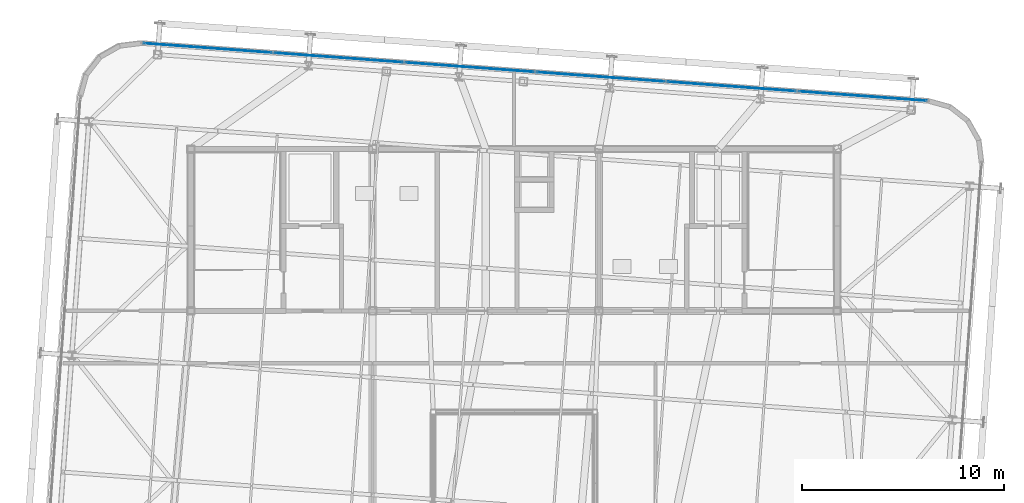
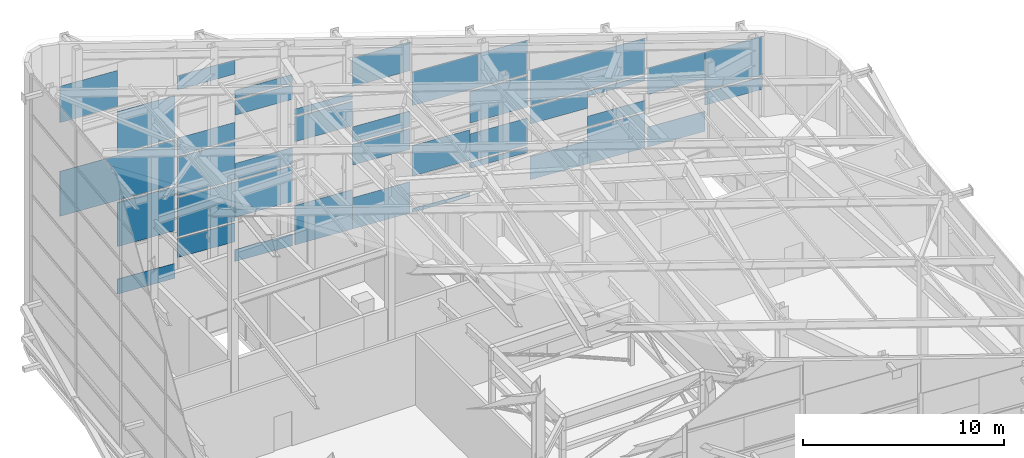
# One storey, part 33 of 56: 38 plates, 23 elements without a shape of their own.
"""IFC4 building model written with IfcOpenShell, lengths in metres."""

from ifc_helpers import new_model, si_unit, direction, frame, origin, origin_2d, place, context, subcontext, project, spatial, rectangle, extrude, source, transform, mapped, material, layer, layer_set, type_object, element, aggregate, save


model = new_model("IFC4")

# Units and contexts
model_context = context("Model", 3, precision=1e-05, world=origin(), true_north=direction((0.0, 1.0)))
body_context = subcontext(model_context, "Body", "Model", "MODEL_VIEW")
ifc_project = project(units=[si_unit("LENGTHUNIT", "METRE"), si_unit("AREAUNIT", "SQUARE_METRE"), si_unit("VOLUMEUNIT", "CUBIC_METRE"), si_unit("PLANEANGLEUNIT", "RADIAN"), si_unit("MASSUNIT", "GRAM", prefix="KILO")], contexts=[model_context])

# Site, building, storey
site_placement = place(None, origin())
site = spatial("IfcSite", under=ifc_project, at=site_placement, CompositionType="ELEMENT")
building_placement = place(site_placement, origin())
building = spatial("IfcBuilding", under=site, at=building_placement, Name="Taldren Reach Tower", CompositionType="ELEMENT")
storey_placement = place(building_placement, frame((0.0, 0.0, 253.050048828125)))
storey = spatial("IfcBuildingStorey", under=building, at=storey_placement, Name="L77", CompositionType="ELEMENT", Elevation=253.050048828125)

# Curtain wall, plate
ifc_material_1 = material(Name="Aluminium and Low-E Glass Unitised System", Category="aluminium")
ifc_layer_1 = layer(ifc_material_1, 0.159912109375)
ifc_layer_set_1 = layer_set([ifc_layer_1], Name="Aluminium and Low-E Glass Unitised System")
curtain_wall_type = type_object("IfcCurtainWallType", Name="CW-SYS-8", PredefinedType="NOTDEFINED", material=ifc_layer_set_1)
curtain_wall_1_placement = place(storey_placement, origin())
curtain_wall_1 = element("IfcCurtainWall", 1, at=curtain_wall_1_placement, inside=storey, type_object=curtain_wall_type, Name="Unitised curtain wall CW8-L77-N1-T3", PredefinedType="NOTDEFINED")
ifc_material_2 = material(Name="Acoustic Triple-Laminated IGU", Category="glass")
ifc_layer_2 = layer(ifc_material_2, 0.035888671875)
ifc_layer_set_2 = layer_set([ifc_layer_2], Name="Acoustic Triple-Laminated IGU")
plate_type = type_object("IfcPlateType", Name="CW-PNL-IGU36", PredefinedType="CURTAIN_PANEL", material=ifc_layer_set_2)
shared_shape_1 = source(origin(), body_context, "Body", "SweptSolid", [
    extrude(rectangle(XDim=6.35009765625, YDim=0.035888671875, at=origin_2d()), origin(), (0.0, 0.0, 1.0), 2.728271484375),
])
plate_1_placement = place(storey_placement, frame((19.840576171875, 37.008056640625, 5.7568359375), z_axis=(0.0, 0.0, 1.0), x_axis=(0.997314454527, -0.073238506213, 0.0)))
plate_1 = element("IfcPlate", 2, at=plate_1_placement, type_object=plate_type, Name="CW-8 panel 1.1", PredefinedType="CURTAIN_PANEL", context=body_context, shape_type="MappedRepresentation", body=[
    mapped(shared_shape_1, transform((0.0, 0.0, 0.0), scale=1.0)),
])
aggregate(curtain_wall_1, [plate_1])

curtain_wall_2_placement = place(storey_placement, origin())
curtain_wall_2 = element("IfcCurtainWall", 3, at=curtain_wall_2_placement, inside=storey, type_object=curtain_wall_type, Name="Unitised curtain wall CW8-L77-N4-T4", PredefinedType="NOTDEFINED")
shared_shape_2 = source(origin(), body_context, "Body", "SweptSolid", [
    extrude(rectangle(XDim=6.35009765625, YDim=0.035888671875, at=origin_2d()), origin(), (0.0, 0.0, 1.0), 2.04296875),
])
plate_2_placement = place(storey_placement, frame((39.2880859375, 35.579833984375, 6.548583984375), z_axis=(0.0, 0.0, 1.0), x_axis=(0.997314454527, -0.073238506213, 0.0)))
plate_2 = element("IfcPlate", 4, at=plate_2_placement, type_object=plate_type, Name="CW-8 panel 1.1", PredefinedType="CURTAIN_PANEL", context=body_context, shape_type="MappedRepresentation", body=[
    mapped(shared_shape_2, transform((0.0, 0.0, 0.0), scale=1.0)),
])
aggregate(curtain_wall_2, [plate_2])

curtain_wall_3_placement = place(storey_placement, origin())
curtain_wall_3 = element("IfcCurtainWall", 5, at=curtain_wall_3_placement, inside=storey, type_object=curtain_wall_type, Name="Unitised curtain wall CW8-L77-N5-T3", PredefinedType="NOTDEFINED")
shared_shape_3 = source(origin(), body_context, "Body", "SweptSolid", [
    extrude(rectangle(XDim=6.35009765625, YDim=0.035888671875, at=origin_2d()), origin(), (0.0, 0.0, 1.0), 2.142822265625),
])
plate_3_placement = place(storey_placement, frame((45.770751953125, 35.103759765625, 4.58544921875), z_axis=(0.0, 0.0, 1.0), x_axis=(0.997314462779, -0.073238393838, 0.0)))
plate_3 = element("IfcPlate", 6, at=plate_3_placement, type_object=plate_type, Name="CW-8 panel 1.1", PredefinedType="CURTAIN_PANEL", context=body_context, shape_type="MappedRepresentation", body=[
    mapped(shared_shape_3, transform((0.0, 0.0, 0.0), scale=1.0)),
])
aggregate(curtain_wall_3, [plate_3])

curtain_wall_4_placement = place(storey_placement, origin())
curtain_wall_4 = element("IfcCurtainWall", 7, at=curtain_wall_4_placement, inside=storey, type_object=curtain_wall_type, Name="Unitised curtain wall CW8-L77-N1", PredefinedType="NOTDEFINED")
shared_shape_4 = source(origin(), body_context, "Body", "SweptSolid", [
    extrude(rectangle(XDim=3.175048828125, YDim=0.035888671875, at=origin_2d()), origin(), (0.0, 0.0, 1.0), 0.910400390625),
])
plate_4_placement = place(storey_placement, frame((21.423828125, 36.891845703125, 0.06005859375), z_axis=(0.0, 0.0, 1.0), x_axis=(0.997314454527, -0.073238506213, 0.0)))
plate_4 = element("IfcPlate", 8, at=plate_4_placement, type_object=plate_type, Name="CW-8 panel 1.1 part 2", PredefinedType="CURTAIN_PANEL", context=body_context, shape_type="MappedRepresentation", body=[
    mapped(shared_shape_4, transform((0.0, 0.0, 0.0), scale=1.0)),
])
aggregate(curtain_wall_4, [plate_4])

curtain_wall_5_placement = place(storey_placement, origin())
curtain_wall_5 = element("IfcCurtainWall", 9, at=curtain_wall_5_placement, inside=storey, type_object=curtain_wall_type, Name="Unitised curtain wall CW8-L77-N1-T2", PredefinedType="NOTDEFINED")
shared_shape_5 = source(origin(), body_context, "Body", "SweptSolid", [
    extrude(rectangle(XDim=3.175048828125, YDim=0.035888671875, at=origin_2d()), origin(), (0.0, 0.0, 1.0), 2.687744140625),
])
plate_5_placement = place(storey_placement, frame((21.423828125, 36.891845703125, 2.94873046875), z_axis=(0.0, 0.0, 1.0), x_axis=(0.997314454527, -0.073238506213, 0.0)))
plate_5 = element("IfcPlate", 10, at=plate_5_placement, type_object=plate_type, Name="CW-8 panel 1.1 part 2", PredefinedType="CURTAIN_PANEL", context=body_context, shape_type="MappedRepresentation", body=[
    mapped(shared_shape_5, transform((0.0, 0.0, 0.0), scale=1.0)),
])
aggregate(curtain_wall_5, [plate_5])

curtain_wall_6_placement = place(storey_placement, origin())
curtain_wall_6 = element("IfcCurtainWall", 11, at=curtain_wall_6_placement, inside=storey, type_object=curtain_wall_type, Name="Unitised curtain wall CW8-L77-N1-T4", PredefinedType="NOTDEFINED")
shared_shape_6 = source(origin(), body_context, "Body", "SweptSolid", [
    extrude(rectangle(XDim=3.175048828125, YDim=0.035888671875, at=origin_2d()), origin(), (0.0, 0.0, 1.0), 2.552734375),
])
plate_6_placement = place(storey_placement, frame((21.423828125, 36.891845703125, 8.60498046875), z_axis=(0.0, 0.0, 1.0), x_axis=(0.997314454527, -0.073238506213, 0.0)))
plate_6 = element("IfcPlate", 12, at=plate_6_placement, type_object=plate_type, Name="CW-8 panel 1.1 part 2", PredefinedType="CURTAIN_PANEL", context=body_context, shape_type="MappedRepresentation", body=[
    mapped(shared_shape_6, transform((0.0, 0.0, 0.0), scale=1.0)),
])
aggregate(curtain_wall_6, [plate_6])

curtain_wall_7_placement = place(storey_placement, origin())
curtain_wall_7 = element("IfcCurtainWall", 13, at=curtain_wall_7_placement, inside=storey, type_object=curtain_wall_type, Name="Unitised curtain wall CW8-L77-N1-T5", PredefinedType="NOTDEFINED")
shared_shape_7 = source(origin(), body_context, "Body", "SweptSolid", [
    extrude(rectangle(XDim=3.175048828125, YDim=0.035888671875, at=origin_2d()), origin(), (0.0, 0.0, 1.0), 2.211181640625),
])
plate_7_placement = place(storey_placement, frame((18.25732421875, 37.124267578125, 11.453125), z_axis=(0.0, 0.0, 1.0), x_axis=(0.997314454527, -0.073238506213, 0.0)))
plate_7 = element("IfcPlate", 14, at=plate_7_placement, type_object=plate_type, Name="CW-8 panel 1.1 part 1", PredefinedType="CURTAIN_PANEL", context=body_context, shape_type="MappedRepresentation", body=[
    mapped(shared_shape_7, transform((0.0, 0.0, 0.0), scale=1.0)),
])
aggregate(curtain_wall_7, [plate_7])

# Curtain wall, plates
curtain_wall_8_placement = place(storey_placement, origin())
curtain_wall_8 = element("IfcCurtainWall", 15, at=curtain_wall_8_placement, inside=storey, type_object=curtain_wall_type, Name="Unitised curtain wall CW8-L77-N2", PredefinedType="NOTDEFINED")
shared_shape_8 = source(origin(), body_context, "Body", "SweptSolid", [
    extrude(rectangle(XDim=3.175048828125, YDim=0.035888671875, at=origin_2d()), origin(), (0.0, 0.0, 1.0), 1.14697265625),
])
plate_8_placement = place(storey_placement, frame((24.73974609375, 36.648193359375, 1.2685546875), z_axis=(0.0, 0.0, 1.0), x_axis=(0.997314462779, -0.073238393838, 0.0)))
plate_8 = element("IfcPlate", 16, at=plate_8_placement, type_object=plate_type, Name="CW-8 panel 1.1 part 1", PredefinedType="CURTAIN_PANEL", context=body_context, shape_type="MappedRepresentation", body=[
    mapped(shared_shape_8, transform((0.0, 0.0, 0.0), scale=1.0)),
])
shared_shape_9 = source(origin(), body_context, "Body", "SweptSolid", [
    extrude(rectangle(XDim=3.175048828125, YDim=0.035888671875, at=origin_2d()), origin(), (0.0, 0.0, 1.0), 0.7158203125),
])
plate_9_placement = place(storey_placement, frame((27.90625, 36.415771484375, 0.06005859375), z_axis=(0.0, 0.0, 1.0), x_axis=(0.997314462779, -0.073238393838, 0.0)))
plate_9 = element("IfcPlate", 17, at=plate_9_placement, type_object=plate_type, Name="CW-8 panel 1.1 part 2", PredefinedType="CURTAIN_PANEL", context=body_context, shape_type="MappedRepresentation", body=[
    mapped(shared_shape_9, transform((0.0, 0.0, 0.0), scale=1.0)),
])
aggregate(curtain_wall_8, [plate_8, plate_9])

# Curtain wall, plate
curtain_wall_9_placement = place(storey_placement, origin())
curtain_wall_9 = element("IfcCurtainWall", 18, at=curtain_wall_9_placement, inside=storey, type_object=curtain_wall_type, Name="Unitised curtain wall CW8-L77-N2-T2", PredefinedType="NOTDEFINED")
shared_shape_10 = source(origin(), body_context, "Body", "SweptSolid", [
    extrude(rectangle(XDim=3.175048828125, YDim=0.035888671875, at=origin_2d()), origin(), (0.0, 0.0, 1.0), 2.355712890625),
])
plate_10_placement = place(storey_placement, frame((24.73974609375, 36.648193359375, 2.53564453125), z_axis=(0.0, 0.0, 1.0), x_axis=(0.997314462779, -0.073238393838, 0.0)))
plate_10 = element("IfcPlate", 19, at=plate_10_placement, type_object=plate_type, Name="CW-8 panel 1.1 part 1", PredefinedType="CURTAIN_PANEL", context=body_context, shape_type="MappedRepresentation", body=[
    mapped(shared_shape_10, transform((0.0, 0.0, 0.0), scale=1.0)),
])

curtain_wall_10_placement = place(storey_placement, origin())
curtain_wall_10 = element("IfcCurtainWall", 20, at=curtain_wall_10_placement, inside=storey, type_object=curtain_wall_type, Name="Unitised curtain wall CW8-L77-N2-T3", PredefinedType="NOTDEFINED")
plate_11_placement = place(storey_placement, frame((24.73974609375, 36.648193359375, 5.01123046875), z_axis=(0.0, 0.0, 1.0), x_axis=(0.997314462779, -0.073238393838, 0.0)))
plate_11 = element("IfcPlate", 21, at=plate_11_placement, type_object=plate_type, Name="CW-8 panel 1.1 part 1", PredefinedType="CURTAIN_PANEL", context=body_context, shape_type="MappedRepresentation", body=[
    mapped(shared_shape_10, transform((0.0, 0.0, 0.0), scale=1.0)),
])

# Plate
shared_shape_11 = source(origin(), body_context, "Body", "SweptSolid", [
    extrude(rectangle(XDim=3.175048828125, YDim=0.035888671875, at=origin_2d()), origin(), (0.0, 0.0, 1.0), 2.136962890625),
])
plate_12_placement = place(storey_placement, frame((27.90625, 36.415771484375, 2.75439453125), z_axis=(0.0, 0.0, 1.0), x_axis=(0.997314462779, -0.073238393838, 0.0)))
plate_12 = element("IfcPlate", 22, at=plate_12_placement, type_object=plate_type, Name="CW-8 panel 1.1 part 2", PredefinedType="CURTAIN_PANEL", context=body_context, shape_type="MappedRepresentation", body=[
    mapped(shared_shape_11, transform((0.0, 0.0, 0.0), scale=1.0)),
])

aggregate(curtain_wall_9, [plate_10, plate_12])

shared_shape_12 = source(origin(), body_context, "Body", "SweptSolid", [
    extrude(rectangle(XDim=3.175048828125, YDim=0.035888671875, at=origin_2d()), origin(), (0.0, 0.0, 1.0), 1.014892578125),
])
plate_13_placement = place(storey_placement, frame((27.90625, 36.415771484375, 5.01123046875), z_axis=(0.0, 0.0, 1.0), x_axis=(0.997314462779, -0.073238393838, 0.0)))
plate_13 = element("IfcPlate", 23, at=plate_13_placement, type_object=plate_type, Name="CW-8 panel 1.1 part 2", PredefinedType="CURTAIN_PANEL", context=body_context, shape_type="MappedRepresentation", body=[
    mapped(shared_shape_12, transform((0.0, 0.0, 0.0), scale=1.0)),
])

aggregate(curtain_wall_10, [plate_11, plate_13])

# Curtain wall, plates
curtain_wall_11_placement = place(storey_placement, origin())
curtain_wall_11 = element("IfcCurtainWall", 24, at=curtain_wall_11_placement, inside=storey, type_object=curtain_wall_type, Name="Unitised curtain wall CW8-L77-N2-T4", PredefinedType="NOTDEFINED")
shared_shape_13 = source(origin(), body_context, "Body", "SweptSolid", [
    extrude(rectangle(XDim=3.175048828125, YDim=0.035888671875, at=origin_2d()), origin(), (0.0, 0.0, 1.0), 1.045654296875),
])
plate_14_placement = place(storey_placement, frame((24.73974609375, 36.648193359375, 7.48681640625), z_axis=(0.0, 0.0, 1.0), x_axis=(0.997314462779, -0.073238393838, 0.0)))
plate_14 = element("IfcPlate", 25, at=plate_14_placement, type_object=plate_type, Name="CW-8 panel 1.1 part 1", PredefinedType="CURTAIN_PANEL", context=body_context, shape_type="MappedRepresentation", body=[
    mapped(shared_shape_13, transform((0.0, 0.0, 0.0), scale=1.0)),
])
shared_shape_14 = source(origin(), body_context, "Body", "SweptSolid", [
    extrude(rectangle(XDim=3.175048828125, YDim=0.035888671875, at=origin_2d()), origin(), (0.0, 0.0, 1.0), 0.8857421875),
])
plate_15_placement = place(storey_placement, frame((27.90625, 36.415771484375, 8.956787109375), z_axis=(0.0, 0.0, 1.0), x_axis=(0.997314462779, -0.073238393838, 0.0)))
plate_15 = element("IfcPlate", 26, at=plate_15_placement, type_object=plate_type, Name="CW-8 panel 1.1 part 2", PredefinedType="CURTAIN_PANEL", context=body_context, shape_type="MappedRepresentation", body=[
    mapped(shared_shape_14, transform((0.0, 0.0, 0.0), scale=1.0)),
])
aggregate(curtain_wall_11, [plate_14, plate_15])

curtain_wall_12_placement = place(storey_placement, origin())
curtain_wall_12 = element("IfcCurtainWall", 27, at=curtain_wall_12_placement, inside=storey, type_object=curtain_wall_type, Name="Unitised curtain wall CW8-L77-N2-T5", PredefinedType="NOTDEFINED")
shared_shape_15 = source(origin(), body_context, "Body", "SweptSolid", [
    extrude(rectangle(XDim=3.175048828125, YDim=0.035888671875, at=origin_2d()), origin(), (0.0, 0.0, 1.0), 0.854736328125),
])
plate_16_placement = place(storey_placement, frame((24.73974609375, 36.648193359375, 11.46337890625), z_axis=(0.0, 0.0, 1.0), x_axis=(0.997314462779, -0.073238393838, 0.0)))
plate_16 = element("IfcPlate", 28, at=plate_16_placement, type_object=plate_type, Name="CW-8 panel 1.1 part 1", PredefinedType="CURTAIN_PANEL", context=body_context, shape_type="MappedRepresentation", body=[
    mapped(shared_shape_15, transform((0.0, 0.0, 0.0), scale=1.0)),
])
shared_shape_16 = source(origin(), body_context, "Body", "SweptSolid", [
    extrude(rectangle(XDim=3.175048828125, YDim=0.035888671875, at=origin_2d()), origin(), (0.0, 0.0, 1.0), 0.50390625),
])
plate_17_placement = place(storey_placement, frame((27.90625, 36.415771484375, 9.962646484375), z_axis=(0.0, 0.0, 1.0), x_axis=(0.997314462779, -0.073238393838, 0.0)))
plate_17 = element("IfcPlate", 29, at=plate_17_placement, type_object=plate_type, Name="CW-8 panel 1.1 part 2", PredefinedType="CURTAIN_PANEL", context=body_context, shape_type="MappedRepresentation", body=[
    mapped(shared_shape_16, transform((0.0, 0.0, 0.0), scale=1.0)),
])
aggregate(curtain_wall_12, [plate_16, plate_17])

curtain_wall_13_placement = place(storey_placement, origin())
curtain_wall_13 = element("IfcCurtainWall", 30, at=curtain_wall_13_placement, inside=storey, type_object=curtain_wall_type, Name="Unitised curtain wall CW8-L77-N3", PredefinedType="NOTDEFINED")
shared_shape_17 = source(origin(), body_context, "Body", "SweptSolid", [
    extrude(rectangle(XDim=3.175048828125, YDim=0.035888671875, at=origin_2d()), origin(), (0.0, 0.0, 1.0), 2.39599609375),
])
plate_18_placement = place(storey_placement, frame((31.222412109375, 36.172119140625, 0.06005859375), z_axis=(0.0, 0.0, 1.0), x_axis=(0.997314566898, -0.073236975997, 0.0)))
plate_18 = element("IfcPlate", 31, at=plate_18_placement, type_object=plate_type, Name="CW-8 panel 1.1 part 1", PredefinedType="CURTAIN_PANEL", context=body_context, shape_type="MappedRepresentation", body=[
    mapped(shared_shape_17, transform((0.0, 0.0, 0.0), scale=1.0)),
])
shared_shape_18 = source(origin(), body_context, "Body", "SweptSolid", [
    extrude(rectangle(XDim=3.175048828125, YDim=0.035888671875, at=origin_2d()), origin(), (0.0, 0.0, 1.0), 1.90087890625),
])
plate_19_placement = place(storey_placement, frame((34.388916015625, 35.939697265625, 0.059814453125), z_axis=(0.0, 0.0, 1.0), x_axis=(0.997314566898, -0.073236975997, 0.0)))
plate_19 = element("IfcPlate", 32, at=plate_19_placement, type_object=plate_type, Name="CW-8 panel 1.1 part 2", PredefinedType="CURTAIN_PANEL", context=body_context, shape_type="MappedRepresentation", body=[
    mapped(shared_shape_18, transform((0.0, 0.0, 0.0), scale=1.0)),
])
aggregate(curtain_wall_13, [plate_18, plate_19])

# Curtain wall, plate
curtain_wall_14_placement = place(storey_placement, origin())
curtain_wall_14 = element("IfcCurtainWall", 33, at=curtain_wall_14_placement, inside=storey, type_object=curtain_wall_type, Name="Unitised curtain wall CW8-L77-N3-T2", PredefinedType="NOTDEFINED")
shared_shape_19 = source(origin(), body_context, "Body", "SweptSolid", [
    extrude(rectangle(XDim=3.175048828125, YDim=0.035888671875, at=origin_2d()), origin(), (0.0, 0.0, 1.0), 1.258056640625),
])
plate_20_placement = place(storey_placement, frame((34.388916015625, 35.939697265625, 3.939453125), z_axis=(0.0, 0.0, 1.0), x_axis=(0.997314566898, -0.073236975997, 0.0)))
plate_20 = element("IfcPlate", 34, at=plate_20_placement, type_object=plate_type, Name="CW-8 panel 1.1 part 1", PredefinedType="CURTAIN_PANEL", context=body_context, shape_type="MappedRepresentation", body=[
    mapped(shared_shape_19, transform((0.0, 0.0, 0.0), scale=1.0)),
])
aggregate(curtain_wall_14, [plate_20])

# Curtain wall, plates
curtain_wall_15_placement = place(storey_placement, origin())
curtain_wall_15 = element("IfcCurtainWall", 35, at=curtain_wall_15_placement, inside=storey, type_object=curtain_wall_type, Name="Unitised curtain wall CW8-L77-N3-T3", PredefinedType="NOTDEFINED")
shared_shape_20 = source(origin(), body_context, "Body", "SweptSolid", [
    extrude(rectangle(XDim=3.175048828125, YDim=0.035888671875, at=origin_2d()), origin(), (0.0, 0.0, 1.0), 1.494384765625),
])
plate_21_placement = place(storey_placement, frame((31.222412109375, 36.172119140625, 6.33154296875), z_axis=(0.0, 0.0, 1.0), x_axis=(0.997314566898, -0.073236975997, 0.0)))
plate_21 = element("IfcPlate", 36, at=plate_21_placement, type_object=plate_type, Name="CW-8 panel 1.1 part 1", PredefinedType="CURTAIN_PANEL", context=body_context, shape_type="MappedRepresentation", body=[
    mapped(shared_shape_20, transform((0.0, 0.0, 0.0), scale=1.0)),
])
shared_shape_21 = source(origin(), body_context, "Body", "SweptSolid", [
    extrude(rectangle(XDim=3.175048828125, YDim=0.035888671875, at=origin_2d()), origin(), (0.0, 0.0, 1.0), 0.94921875),
])
plate_22_placement = place(storey_placement, frame((34.388916015625, 35.939697265625, 5.3173828125), z_axis=(0.0, 0.0, 1.0), x_axis=(0.997314566898, -0.073236975997, 0.0)))
plate_22 = element("IfcPlate", 37, at=plate_22_placement, type_object=plate_type, Name="CW-8 panel 1.1 part 2", PredefinedType="CURTAIN_PANEL", context=body_context, shape_type="MappedRepresentation", body=[
    mapped(shared_shape_21, transform((0.0, 0.0, 0.0), scale=1.0)),
])
aggregate(curtain_wall_15, [plate_21, plate_22])

curtain_wall_16_placement = place(storey_placement, origin())
curtain_wall_16 = element("IfcCurtainWall", 38, at=curtain_wall_16_placement, inside=storey, type_object=curtain_wall_type, Name="Unitised curtain wall CW8-L77-N3-T4", PredefinedType="NOTDEFINED")
shared_shape_22 = source(origin(), body_context, "Body", "SweptSolid", [
    extrude(rectangle(XDim=3.175048828125, YDim=0.035888671875, at=origin_2d()), origin(), (0.0, 0.0, 1.0), 0.371826171875),
])
plate_23_placement = place(storey_placement, frame((31.222412109375, 36.172119140625, 7.9462890625), z_axis=(0.0, 0.0, 1.0), x_axis=(0.997314566898, -0.073236975997, 0.0)))
plate_23 = element("IfcPlate", 39, at=plate_23_placement, type_object=plate_type, Name="CW-8 panel 1.1 part 1", PredefinedType="CURTAIN_PANEL", context=body_context, shape_type="MappedRepresentation", body=[
    mapped(shared_shape_22, transform((0.0, 0.0, 0.0), scale=1.0)),
])
shared_shape_23 = source(origin(), body_context, "Body", "SweptSolid", [
    extrude(rectangle(XDim=3.175048828125, YDim=0.035888671875, at=origin_2d()), origin(), (0.0, 0.0, 1.0), 1.73974609375),
])
plate_24_placement = place(storey_placement, frame((34.388916015625, 35.939697265625, 8.715087890625), z_axis=(0.0, 0.0, 1.0), x_axis=(0.997314566898, -0.073236975997, 0.0)))
plate_24 = element("IfcPlate", 40, at=plate_24_placement, type_object=plate_type, Name="CW-8 panel 1.1 part 2", PredefinedType="CURTAIN_PANEL", context=body_context, shape_type="MappedRepresentation", body=[
    mapped(shared_shape_23, transform((0.0, 0.0, 0.0), scale=1.0)),
])
aggregate(curtain_wall_16, [plate_23, plate_24])

curtain_wall_17_placement = place(storey_placement, origin())
curtain_wall_17 = element("IfcCurtainWall", 41, at=curtain_wall_17_placement, inside=storey, type_object=curtain_wall_type, Name="Unitised curtain wall CW8-L77-N4", PredefinedType="NOTDEFINED")
shared_shape_24 = source(origin(), body_context, "Body", "SweptSolid", [
    extrude(rectangle(XDim=3.175048828125, YDim=0.035888671875, at=origin_2d()), origin(), (0.0, 0.0, 1.0), 0.220458984375),
])
plate_25_placement = place(storey_placement, frame((37.704833984375, 35.6962890625, 0.06005859375), z_axis=(0.0, 0.0, 1.0), x_axis=(0.997314454527, -0.073238506213, 0.0)))
plate_25 = element("IfcPlate", 42, at=plate_25_placement, type_object=plate_type, Name="CW-8 panel 1.1 part 1", PredefinedType="CURTAIN_PANEL", context=body_context, shape_type="MappedRepresentation", body=[
    mapped(shared_shape_24, transform((0.0, 0.0, 0.0), scale=1.0)),
])
shared_shape_25 = source(origin(), body_context, "Body", "SweptSolid", [
    extrude(rectangle(XDim=3.175048828125, YDim=0.035888671875, at=origin_2d()), origin(), (0.0, 0.0, 1.0), 0.3388671875),
])
plate_26_placement = place(storey_placement, frame((40.871337890625, 35.463623046875, 1.763916015625), z_axis=(0.0, 0.0, 1.0), x_axis=(0.997314454527, -0.073238506213, 0.0)))
plate_26 = element("IfcPlate", 43, at=plate_26_placement, type_object=plate_type, Name="CW-8 panel 1.1 part 2", PredefinedType="CURTAIN_PANEL", context=body_context, shape_type="MappedRepresentation", body=[
    mapped(shared_shape_25, transform((0.0, 0.0, 0.0), scale=1.0)),
])
aggregate(curtain_wall_17, [plate_25, plate_26])

curtain_wall_18_placement = place(storey_placement, origin())
curtain_wall_18 = element("IfcCurtainWall", 44, at=curtain_wall_18_placement, inside=storey, type_object=curtain_wall_type, Name="Unitised curtain wall CW8-L77-N4-T2", PredefinedType="NOTDEFINED")
shared_shape_26 = source(origin(), body_context, "Body", "SweptSolid", [
    extrude(rectangle(XDim=3.175048828125, YDim=0.035888671875, at=origin_2d()), origin(), (0.0, 0.0, 1.0), 1.85888671875),
])
plate_27_placement = place(storey_placement, frame((37.704833984375, 35.6962890625, 2.25927734375), z_axis=(0.0, 0.0, 1.0), x_axis=(0.997314454527, -0.073238506213, 0.0)))
plate_27 = element("IfcPlate", 45, at=plate_27_placement, type_object=plate_type, Name="CW-8 panel 1.1 part 1", PredefinedType="CURTAIN_PANEL", context=body_context, shape_type="MappedRepresentation", body=[
    mapped(shared_shape_26, transform((0.0, 0.0, 0.0), scale=1.0)),
])
shared_shape_27 = source(origin(), body_context, "Body", "SweptSolid", [
    extrude(rectangle(XDim=3.175048828125, YDim=0.035888671875, at=origin_2d()), origin(), (0.0, 0.0, 1.0), 1.635498046875),
])
plate_28_placement = place(storey_placement, frame((40.871337890625, 35.463623046875, 2.22314453125), z_axis=(0.0, 0.0, 1.0), x_axis=(0.997314454527, -0.073238506213, 0.0)))
plate_28 = element("IfcPlate", 46, at=plate_28_placement, type_object=plate_type, Name="CW-8 panel 1.1 part 2", PredefinedType="CURTAIN_PANEL", context=body_context, shape_type="MappedRepresentation", body=[
    mapped(shared_shape_27, transform((0.0, 0.0, 0.0), scale=1.0)),
])
aggregate(curtain_wall_18, [plate_27, plate_28])

# Curtain wall, plate
curtain_wall_19_placement = place(storey_placement, origin())
curtain_wall_19 = element("IfcCurtainWall", 47, at=curtain_wall_19_placement, inside=storey, type_object=curtain_wall_type, Name="Unitised curtain wall CW8-L77-N4-T3", PredefinedType="NOTDEFINED")
shared_shape_28 = source(origin(), body_context, "Body", "SweptSolid", [
    extrude(rectangle(XDim=3.175048828125, YDim=0.035888671875, at=origin_2d()), origin(), (0.0, 0.0, 1.0), 1.91357421875),
])
plate_29_placement = place(storey_placement, frame((40.871337890625, 35.463623046875, 4.51513671875), z_axis=(0.0, 0.0, 1.0), x_axis=(0.997314454527, -0.073238506213, 0.0)))
plate_29 = element("IfcPlate", 48, at=plate_29_placement, type_object=plate_type, Name="CW-8 panel 1.1 part 1", PredefinedType="CURTAIN_PANEL", context=body_context, shape_type="MappedRepresentation", body=[
    mapped(shared_shape_28, transform((0.0, 0.0, 0.0), scale=1.0)),
])
aggregate(curtain_wall_19, [plate_29])

# Curtain wall, plates
curtain_wall_20_placement = place(storey_placement, origin())
curtain_wall_20 = element("IfcCurtainWall", 49, at=curtain_wall_20_placement, inside=storey, type_object=curtain_wall_type, Name="Unitised curtain wall CW8-L77-N5", PredefinedType="NOTDEFINED")
shared_shape_29 = source(origin(), body_context, "Body", "SweptSolid", [
    extrude(rectangle(XDim=3.175048828125, YDim=0.035888671875, at=origin_2d()), origin(), (0.0, 0.0, 1.0), 1.405517578125),
])
plate_30_placement = place(storey_placement, frame((44.1875, 35.22021484375, 0.06005859375), z_axis=(0.0, 0.0, 1.0), x_axis=(0.997314462779, -0.073238393838, 0.0)))
plate_30 = element("IfcPlate", 50, at=plate_30_placement, type_object=plate_type, Name="CW-8 panel 1.1 part 1", PredefinedType="CURTAIN_PANEL", context=body_context, shape_type="MappedRepresentation", body=[
    mapped(shared_shape_29, transform((0.0, 0.0, 0.0), scale=1.0)),
])
shared_shape_30 = source(origin(), body_context, "Body", "SweptSolid", [
    extrude(rectangle(XDim=3.175048828125, YDim=0.035888671875, at=origin_2d()), origin(), (0.0, 0.0, 1.0), 2.142822265625),
])
plate_31_placement = place(storey_placement, frame((47.35400390625, 34.987548828125, 0.06005859375), z_axis=(0.0, 0.0, 1.0), x_axis=(0.997314462779, -0.073238393838, 0.0)))
plate_31 = element("IfcPlate", 51, at=plate_31_placement, type_object=plate_type, Name="CW-8 panel 1.1 part 2", PredefinedType="CURTAIN_PANEL", context=body_context, shape_type="MappedRepresentation", body=[
    mapped(shared_shape_30, transform((0.0, 0.0, 0.0), scale=1.0)),
])
aggregate(curtain_wall_20, [plate_30, plate_31])

curtain_wall_21_placement = place(storey_placement, origin())
curtain_wall_21 = element("IfcCurtainWall", 52, at=curtain_wall_21_placement, inside=storey, type_object=curtain_wall_type, Name="Unitised curtain wall CW8-L77-N5-T2", PredefinedType="NOTDEFINED")
shared_shape_31 = source(origin(), body_context, "Body", "SweptSolid", [
    extrude(rectangle(XDim=3.175048828125, YDim=0.035888671875, at=origin_2d()), origin(), (0.0, 0.0, 1.0), 1.021240234375),
])
plate_32_placement = place(storey_placement, frame((44.1875, 35.22021484375, 3.4443359375), z_axis=(0.0, 0.0, 1.0), x_axis=(0.997314462779, -0.073238393838, 0.0)))
plate_32 = element("IfcPlate", 53, at=plate_32_placement, type_object=plate_type, Name="CW-8 panel 1.1 part 1", PredefinedType="CURTAIN_PANEL", context=body_context, shape_type="MappedRepresentation", body=[
    mapped(shared_shape_31, transform((0.0, 0.0, 0.0), scale=1.0)),
])
shared_shape_32 = source(origin(), body_context, "Body", "SweptSolid", [
    extrude(rectangle(XDim=3.175048828125, YDim=0.035888671875, at=origin_2d()), origin(), (0.0, 0.0, 1.0), 0.3154296875),
])
plate_33_placement = place(storey_placement, frame((47.35400390625, 34.987548828125, 4.14990234375), z_axis=(0.0, 0.0, 1.0), x_axis=(0.997314462779, -0.073238393838, 0.0)))
plate_33 = element("IfcPlate", 54, at=plate_33_placement, type_object=plate_type, Name="CW-8 panel 1.1 part 3", PredefinedType="CURTAIN_PANEL", context=body_context, shape_type="MappedRepresentation", body=[
    mapped(shared_shape_32, transform((0.0, 0.0, 0.0), scale=1.0)),
])

curtain_wall_22_placement = place(storey_placement, origin())
curtain_wall_22 = element("IfcCurtainWall", 55, at=curtain_wall_22_placement, inside=storey, type_object=curtain_wall_type, Name="Unitised curtain wall CW8-L77-N6", PredefinedType="NOTDEFINED")
shared_shape_33 = source(origin(), body_context, "Body", "SweptSolid", [
    extrude(rectangle(XDim=3.175048828125, YDim=0.035888671875, at=origin_2d()), origin(), (0.0, 0.0, 1.0), 1.2109375),
])
plate_34_placement = place(storey_placement, frame((50.669921875, 34.744140625, 0.06005859375), z_axis=(0.0, 0.0, 1.0), x_axis=(0.997314454527, -0.073238506213, 0.0)))
plate_34 = element("IfcPlate", 56, at=plate_34_placement, type_object=plate_type, Name="CW-8 panel 1.1 part 1", PredefinedType="CURTAIN_PANEL", context=body_context, shape_type="MappedRepresentation", body=[
    mapped(shared_shape_33, transform((0.0, 0.0, 0.0), scale=1.0)),
])
shared_shape_34 = source(origin(), body_context, "Body", "SweptSolid", [
    extrude(rectangle(XDim=3.175048828125, YDim=0.035888671875, at=origin_2d()), origin(), (0.0, 0.0, 1.0), 0.75732421875),
])
plate_35_placement = place(storey_placement, frame((53.83642578125, 34.511474609375, 1.64501953125), z_axis=(0.0, 0.0, 1.0), x_axis=(0.997314454527, -0.073238506213, 0.0)))
plate_35 = element("IfcPlate", 57, at=plate_35_placement, type_object=plate_type, Name="CW-8 panel 1.1 part 2", PredefinedType="CURTAIN_PANEL", context=body_context, shape_type="MappedRepresentation", body=[
    mapped(shared_shape_34, transform((0.0, 0.0, 0.0), scale=1.0)),
])
aggregate(curtain_wall_22, [plate_34, plate_35])

curtain_wall_23_placement = place(storey_placement, origin())
curtain_wall_23 = element("IfcCurtainWall", 58, at=curtain_wall_23_placement, inside=storey, type_object=curtain_wall_type, Name="Unitised curtain wall CW8-L77-N6-T2", PredefinedType="NOTDEFINED")
shared_shape_35 = source(origin(), body_context, "Body", "SweptSolid", [
    extrude(rectangle(XDim=3.175048828125, YDim=0.035888671875, at=origin_2d()), origin(), (0.0, 0.0, 1.0), 1.615234375),
])
plate_36_placement = place(storey_placement, frame((50.669921875, 34.744140625, 3.24951171875), z_axis=(0.0, 0.0, 1.0), x_axis=(0.997314454527, -0.073238506213, 0.0)))
plate_36 = element("IfcPlate", 59, at=plate_36_placement, type_object=plate_type, Name="CW-8 panel 1.1 part 1", PredefinedType="CURTAIN_PANEL", context=body_context, shape_type="MappedRepresentation", body=[
    mapped(shared_shape_35, transform((0.0, 0.0, 0.0), scale=1.0)),
])
shared_shape_36 = source(origin(), body_context, "Body", "SweptSolid", [
    extrude(rectangle(XDim=3.175048828125, YDim=0.035888671875, at=origin_2d()), origin(), (0.0, 0.0, 1.0), 2.342529296875),
])
plate_37_placement = place(storey_placement, frame((53.83642578125, 34.511474609375, 2.5224609375), z_axis=(0.0, 0.0, 1.0), x_axis=(0.997314454527, -0.073238506213, 0.0)))
plate_37 = element("IfcPlate", 60, at=plate_37_placement, type_object=plate_type, Name="CW-8 panel 1.1 part 2", PredefinedType="CURTAIN_PANEL", context=body_context, shape_type="MappedRepresentation", body=[
    mapped(shared_shape_36, transform((0.0, 0.0, 0.0), scale=1.0)),
])
aggregate(curtain_wall_23, [plate_36, plate_37])

# Plate
shared_shape_37 = source(origin(), body_context, "Body", "SweptSolid", [
    extrude(rectangle(XDim=3.175048828125, YDim=0.035888671875, at=origin_2d()), origin(), (0.0, 0.0, 1.0), 0.62841796875),
])
plate_38_placement = place(storey_placement, frame((47.35400390625, 34.987548828125, 2.32275390625), z_axis=(0.0, 0.0, 1.0), x_axis=(0.997314462779, -0.073238393838, 0.0)))
plate_38 = element("IfcPlate", 61, at=plate_38_placement, type_object=plate_type, Name="CW-8 panel 1.1 part 2", PredefinedType="CURTAIN_PANEL", context=body_context, shape_type="MappedRepresentation", body=[
    mapped(shared_shape_37, transform((0.0, 0.0, 0.0), scale=1.0)),
])

aggregate(curtain_wall_21, [plate_32, plate_38, plate_33])

save(model, "model.ifc")
